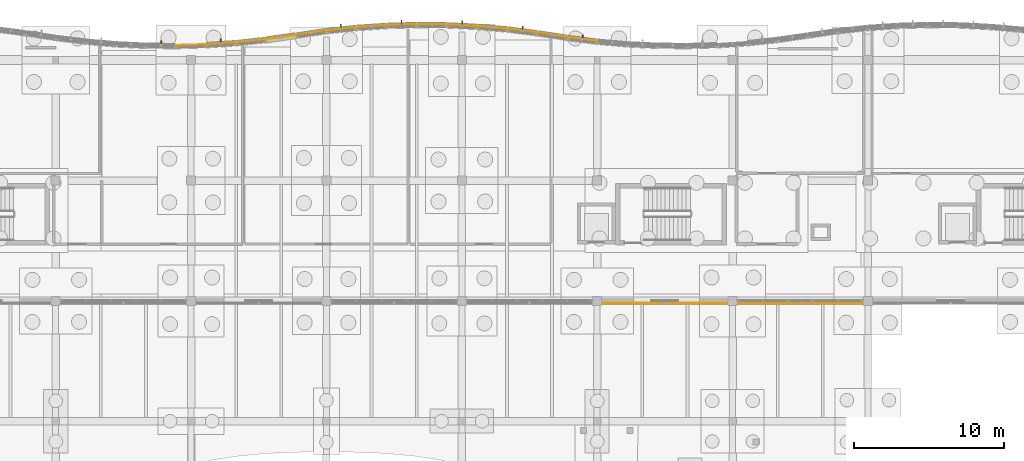
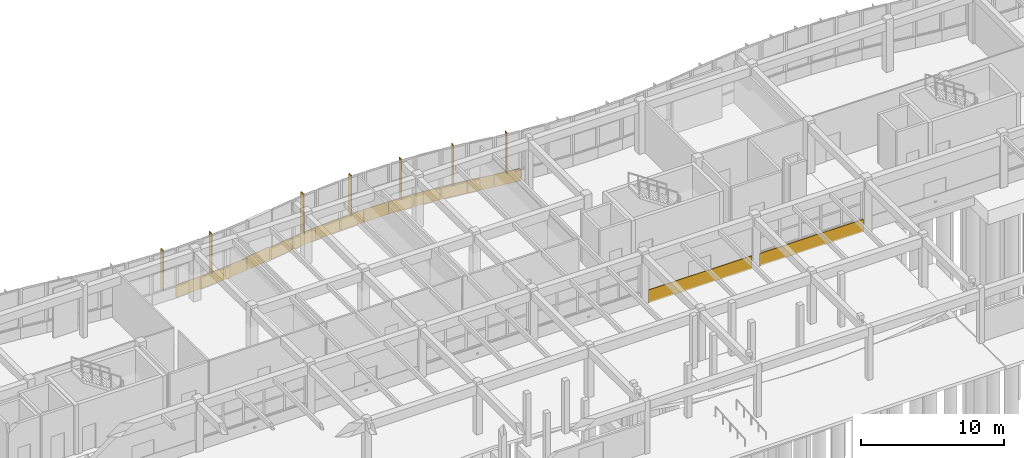
# One storey, part 92 of 99: 16 coverings, 7 shading devices.
"""IFC4 building model written with IfcOpenShell, lengths in metres."""

import ifcopenshell
import ifcopenshell.guid

model = None  # the IFC model being written
_history = None  # IfcOwnerHistory: only IFC2X3 demands one
_inside = {}  # id of a spatial element -> (the spatial element, [elements in it])
_under = {}  # id of a project, library or spatial element -> (it, [spatial elements below it])
_declared = {}  # id of a project -> (the project, [libraries it declares])
_typed = {}  # id of a type object -> (the type object, [elements of that type])
_made_of = {}  # id of a material, layer set ... -> (it, [elements and type objects made of it])


def new_model(schema):
    """Start an empty IFC model of exactly this schema.

    Asked for "IFC4X3", IfcOpenShell would pick the latest addendum, in which some entities
    have other attributes; the version numbers below select the first issue.
    IFC2X3 requires an IfcOwnerHistory on every rooted entity: one is made here for all.
    """
    global model, _history
    if schema == "IFC4X3":
        model = ifcopenshell.file(schema_version=(4, 3, 0, 0))
    else:
        model = ifcopenshell.file(schema=schema)
    _inside.clear()
    _under.clear()
    _declared.clear()
    _typed.clear()
    _made_of.clear()
    _history = None
    if model.schema == "IFC2X3":
        org = make("IfcOrganization", Name="unknown")
        user = make(
            "IfcPersonAndOrganization",
            ThePerson=make("IfcPerson", FamilyName="unknown"),
            TheOrganization=org,
        )
        app = make(
            "IfcApplication",
            ApplicationDeveloper=org,
            Version="unknown",
            ApplicationFullName="unknown",
            ApplicationIdentifier="unknown",
        )
        _history = make(
            "IfcOwnerHistory",
            OwningUser=user,
            OwningApplication=app,
            ChangeAction="ADDED",
            CreationDate=0,
        )
    return model


def make(cls, **values):
    """One entity of the class cls with the attributes given. An attribute that is None is left unset."""
    return model.create_entity(
        cls, **{name: value for name, value in values.items() if value is not None}
    )


def rooted(cls, **values):
    """An entity with a GlobalId (a new one), such as an element, a storey or a relation."""
    return make(cls, GlobalId=ifcopenshell.guid.new(), OwnerHistory=_history, **values)


def si_unit(unit_type, name, prefix=None):
    """IfcSIUnit, for example si_unit("LENGTHUNIT", "METRE", prefix="MILLI")."""
    return make("IfcSIUnit", UnitType=unit_type, Prefix=prefix, Name=name)


def assignment(units):
    """IfcUnitAssignment: the units of a project."""
    return None if units is None else make("IfcUnitAssignment", Units=units)


def point(xyz):
    """IfcCartesianPoint."""
    return None if xyz is None else make("IfcCartesianPoint", Coordinates=xyz)


def direction(xyz):
    """IfcDirection."""
    return None if xyz is None else make("IfcDirection", DirectionRatios=xyz)


def frame(location, z_axis=None, x_axis=None):
    """IfcAxis2Placement3D, a coordinate frame: its origin and axes. An axis left out is left unset."""
    return make(
        "IfcAxis2Placement3D",
        Location=point(location),
        Axis=direction(z_axis),
        RefDirection=direction(x_axis),
    )


def frame_2d(location, x_axis=None):
    """IfcAxis2Placement2D, a coordinate frame in the plane: its origin and x axis."""
    return make(
        "IfcAxis2Placement2D", Location=point(location), RefDirection=direction(x_axis)
    )


def origin():
    """The frame at (0, 0, 0) with its axes left unset."""
    return frame((0.0, 0.0, 0.0))


def origin_2d():
    """The frame at (0, 0) in the plane with its x axis left unset."""
    return frame_2d((0.0, 0.0))


def place(relative_to, where):
    """IfcLocalPlacement: puts the frame where relative to a parent placement (None: the world)."""
    return make(
        "IfcLocalPlacement", PlacementRelTo=relative_to, RelativePlacement=where
    )


def context(
    kind, dimensions, precision=None, world=None, true_north=None, identifier=None
):
    """IfcGeometricRepresentationContext, for example the 3D "Model" context."""
    return make(
        "IfcGeometricRepresentationContext",
        ContextIdentifier=identifier,
        ContextType=kind,
        CoordinateSpaceDimension=dimensions,
        Precision=precision,
        WorldCoordinateSystem=world,
        TrueNorth=true_north,
    )


def subcontext(parent, identifier, kind, view, scale=None):
    """IfcGeometricRepresentationSubContext, for example "Body" below "Model"."""
    return make(
        "IfcGeometricRepresentationSubContext",
        ContextIdentifier=identifier,
        ContextType=kind,
        ParentContext=parent,
        TargetScale=scale,
        TargetView=view,
    )


def project(units=None, contexts=None):
    """IfcProject with its units and contexts."""
    return rooted(
        "IfcProject",
        Name="project",
        RepresentationContexts=contexts,
        UnitsInContext=assignment(units),
    )


def spatial(cls, under=None, at=None, **own):
    """A site, building, storey or space (cls), placed at a placement, below another one or the project."""
    s = rooted(cls, ObjectPlacement=at, **own)
    if under is not None:
        _under.setdefault(under.id(), (under, []))[1].append(s)
    return s


def polyline(points):
    """IfcPolyline through the points."""
    return make("IfcPolyline", Points=[point(p) for p in points])


def profile(cls, at=None, kind="AREA", **sizes):
    """A parametric profile (cls). Its sizes go by their IFC names, for example OverallWidth=200.0."""
    return make(cls, ProfileType=kind, Position=at, **sizes)


def rectangle(**sizes):
    """IfcRectangleProfileDef."""
    return profile("IfcRectangleProfileDef", **sizes)


def outline(outer, holes=None, kind="AREA"):
    """IfcArbitraryClosedProfileDef: a profile drawn as a closed curve; with holes, ...WithVoids."""
    if holes is None:
        return make("IfcArbitraryClosedProfileDef", ProfileType=kind, OuterCurve=outer)
    return make(
        "IfcArbitraryProfileDefWithVoids",
        ProfileType=kind,
        OuterCurve=outer,
        InnerCurves=holes,
    )


def extrude(swept, where, along, depth):
    """IfcExtrudedAreaSolid: the profile swept, set in the frame where, extruded along a direction by depth."""
    return make(
        "IfcExtrudedAreaSolid",
        SweptArea=swept,
        Position=where,
        ExtrudedDirection=direction(along),
        Depth=depth,
    )


def shape(context_of_items, identifier, shape_type, items):
    """IfcShapeRepresentation: the items that make up one representation, for example the "Body"."""
    return make(
        "IfcShapeRepresentation",
        ContextOfItems=context_of_items,
        RepresentationIdentifier=identifier,
        RepresentationType=shape_type,
        Items=items,
    )


def material(Name=None, Category=None):
    """IfcMaterial."""
    return make("IfcMaterial", Name=Name, Category=Category)


def layer(
    of_material, thickness, ventilated=None, Name=None, Category=None, Priority=None
):
    """IfcMaterialLayer: one layer of a wall or slab, of a material (None: an air gap)."""
    return make(
        "IfcMaterialLayer",
        Material=of_material,
        LayerThickness=thickness,
        IsVentilated=ventilated,
        Name=Name,
        Category=Category,
        Priority=Priority,
    )


def layer_set(layers, Name=None):
    """IfcMaterialLayerSet."""
    return make("IfcMaterialLayerSet", MaterialLayers=layers, LayerSetName=Name)


def made_of(thing, what):
    """Note that an element or type object is made of a material, layer set ...; save() writes the relation."""
    if what is not None:
        _made_of.setdefault(what.id(), (what, []))[1].append(thing)
    return thing


def type_object(cls, material=None, **own):
    """A type object (cls), such as IfcWallType, which elements share."""
    return made_of(rooted(cls, **own), material)


def element(
    cls,
    number,
    at=None,
    inside=None,
    cuts=None,
    type_object=None,
    material=None,
    context=None,
    identifier="Body",
    shape_type=None,
    held_by="IfcProductDefinitionShape",
    body=None,
    shapes=None,
    **own,
):
    """One element of the class cls, such as IfcWall. Its Tag is "e" and its number.

    at: its placement. inside: the storey or other place that contains it. cuts: it is an
    opening in that element (IfcRelVoidsElement). A single representation is given by context,
    identifier, shape_type and body (its items); several are given by shapes. held_by: the class
    of the entity that holds the representations. save() writes the other relations.
    """
    e = rooted(cls, Tag="e%d" % number, ObjectPlacement=at, **own)
    if body is not None:
        shapes = [shape(context, identifier, shape_type, body)]
    if shapes is not None:
        e.Representation = make(held_by, Representations=shapes)
    if inside is not None:
        _inside.setdefault(inside.id(), (inside, []))[1].append(e)
    if cuts is not None:
        rooted(
            "IfcRelVoidsElement", RelatingBuildingElement=cuts, RelatedOpeningElement=e
        )
    if type_object is not None:
        _typed.setdefault(type_object.id(), (type_object, []))[1].append(e)
    return made_of(e, material)


def aggregate(whole, parts):
    """IfcRelAggregates: a whole, such as a stair, and the parts it consists of."""
    return rooted("IfcRelAggregates", RelatingObject=whole, RelatedObjects=parts)


def save(model, path):
    """Write the relations noted so far, then the file.

    IfcRelAggregates (storeys below a building ...), IfcRelContainedInSpatialStructure (elements
    in a storey), IfcRelDefinesByType, IfcRelAssociatesMaterial and IfcRelDeclares: one each for
    every whole, place, type object, material and project.
    """
    for whole, parts in _under.values():
        aggregate(whole, parts)
    for where, things in _inside.values():
        rooted(
            "IfcRelContainedInSpatialStructure",
            RelatedElements=things,
            RelatingStructure=where,
        )
    for kind, things in _typed.values():
        rooted("IfcRelDefinesByType", RelatedObjects=things, RelatingType=kind)
    for what, things in _made_of.values():
        rooted("IfcRelAssociatesMaterial", RelatedObjects=things, RelatingMaterial=what)
    for by, libraries in _declared.values():
        rooted("IfcRelDeclares", RelatingContext=by, RelatedDefinitions=libraries)
    model.write(path)


model = new_model("IFC4")

# Units and contexts
model_context = context("Model", 3, precision=1e-05, world=origin(), true_north=direction((0.0, 1.0)))
body_context = subcontext(model_context, "Body", "Model", "MODEL_VIEW")
ifc_project = project(units=[si_unit("LENGTHUNIT", "METRE"), si_unit("AREAUNIT", "SQUARE_METRE"), si_unit("VOLUMEUNIT", "CUBIC_METRE"), si_unit("PLANEANGLEUNIT", "RADIAN"), si_unit("MASSUNIT", "GRAM", prefix="KILO")], contexts=[model_context])

# Site, building, storey
site_placement = place(None, origin())
site = spatial("IfcSite", under=ifc_project, at=site_placement, CompositionType="ELEMENT")
building_placement = place(site_placement, origin())
building = spatial("IfcBuilding", under=site, at=building_placement, Name="Tonlespit Floodbar School", CompositionType="ELEMENT")
storey_placement = place(building_placement, origin())
storey = spatial("IfcBuildingStorey", under=building, at=storey_placement, Name="L00", CompositionType="ELEMENT", Elevation=0.0)

# Coverings
ifc_material_1 = material(Name="White Architectural Aluminium", Category="aluminium")
ifc_layer_1 = layer(ifc_material_1, 0.050048828125)
ifc_layer_set_1 = layer_set([ifc_layer_1], Name="White Architectural Aluminium")
covering_type = type_object("IfcCoveringType", Name="Cladding_WhiteBand_50", PredefinedType="CLADDING", material=ifc_layer_set_1)
covering_1_placement = place(storey_placement, frame((0.0, 0.0, -0.1201171875)))
element("IfcCovering", 1, at=covering_1_placement, inside=storey, type_object=covering_type, Name="L00 curved white spandrel cladding 0014", PredefinedType="CLADDING", context=body_context, shape_type="SweptSolid", body=[
    extrude(outline(polyline([(69.9970703125, 120.952880859375), (71.9970703125, 121.0107421875), (71.99560546875, 121.060791015625), (69.99560546875, 121.0029296875), (69.9970703125, 120.952880859375)])), origin(), (0.0, 0.0, 1.0), 1.070068359375),
])
covering_2_placement = place(storey_placement, frame((0.0, 0.0, -0.1201171875)))
element("IfcCovering", 2, at=covering_2_placement, inside=storey, type_object=covering_type, Name="L00 curved white spandrel cladding 0015", PredefinedType="CLADDING", context=body_context, shape_type="SweptSolid", body=[
    extrude(outline(polyline([(71.993408203125, 121.010498046875), (73.993408203125, 121.1455078125), (73.989990234375, 121.1953125), (71.989990234375, 121.060302734375), (71.993408203125, 121.010498046875)])), origin(), (0.0, 0.0, 1.0), 1.070068359375),
])
covering_3_placement = place(storey_placement, frame((0.0, 0.0, -0.1201171875)))
element("IfcCovering", 3, at=covering_3_placement, inside=storey, type_object=covering_type, Name="L00 curved white spandrel cladding 0016", PredefinedType="CLADDING", context=body_context, shape_type="SweptSolid", body=[
    extrude(outline(polyline([(73.989501953125, 121.14501953125), (75.989501953125, 121.35791015625), (75.984130859375, 121.407470703125), (73.984130859375, 121.19482421875), (73.989501953125, 121.14501953125)])), origin(), (0.0, 0.0, 1.0), 1.070068359375),
])
covering_4_placement = place(storey_placement, frame((0.0, 0.0, -0.1201171875)))
element("IfcCovering", 4, at=covering_4_placement, inside=storey, type_object=covering_type, Name="L00 curved white spandrel cladding 0017", PredefinedType="CLADDING", context=body_context, shape_type="SweptSolid", body=[
    extrude(outline(polyline([(75.982666015625, 121.377197265625), (77.982666015625, 121.668701171875), (77.9755859375, 121.71826171875), (75.9755859375, 121.426513671875), (75.982666015625, 121.377197265625)])), origin(), (0.0, 0.0, 1.0), 1.1201171875),
])
covering_5_placement = place(storey_placement, frame((0.0, 0.0, -0.1201171875)))
element("IfcCovering", 5, at=covering_5_placement, inside=storey, type_object=covering_type, Name="L00 curved white spandrel cladding 0018", PredefinedType="CLADDING", context=body_context, shape_type="SweptSolid", body=[
    extrude(outline(polyline([(77.985595703125, 121.64892578125), (79.985595703125, 121.940673828125), (79.978515625, 121.989990234375), (77.978515625, 121.698486328125), (77.985595703125, 121.64892578125)])), origin(), (0.0, 0.0, 1.0), 1.070068359375),
])
covering_6_placement = place(storey_placement, frame((0.0, 0.0, -0.1201171875)))
element("IfcCovering", 6, at=covering_6_placement, inside=storey, type_object=covering_type, Name="L00 curved white spandrel cladding 0019", PredefinedType="CLADDING", context=body_context, shape_type="SweptSolid", body=[
    extrude(outline(polyline([(79.989501953125, 121.94091796875), (81.989501953125, 122.15380859375), (81.984130859375, 122.203369140625), (79.984130859375, 121.99072265625), (79.989501953125, 121.94091796875)])), origin(), (0.0, 0.0, 1.0), 1.070068359375),
])
covering_7_placement = place(storey_placement, frame((0.0, 0.0, -0.1201171875)))
element("IfcCovering", 7, at=covering_7_placement, inside=storey, type_object=covering_type, Name="L00 curved white spandrel cladding 0020", PredefinedType="CLADDING", context=body_context, shape_type="SweptSolid", body=[
    extrude(outline(polyline([(81.993408203125, 122.154052734375), (83.993408203125, 122.2890625), (83.989990234375, 122.339111328125), (81.989990234375, 122.2041015625), (81.993408203125, 122.154052734375)])), origin(), (0.0, 0.0, 1.0), 1.070068359375),
])
covering_8_placement = place(storey_placement, frame((0.0, 0.0, -0.1201171875)))
element("IfcCovering", 8, at=covering_8_placement, inside=storey, type_object=covering_type, Name="L00 curved white spandrel cladding 0021", PredefinedType="CLADDING", context=body_context, shape_type="SweptSolid", body=[
    extrude(outline(polyline([(83.9970703125, 122.289306640625), (85.9970703125, 122.346923828125), (85.99560546875, 122.39697265625), (83.99560546875, 122.33935546875), (83.9970703125, 122.289306640625)])), origin(), (0.0, 0.0, 1.0), 1.070068359375),
])
covering_9_placement = place(storey_placement, frame((0.0, 0.0, -0.1201171875)))
element("IfcCovering", 9, at=covering_9_placement, inside=storey, type_object=covering_type, Name="L00 curved white spandrel cladding 0022", PredefinedType="CLADDING", context=body_context, shape_type="SweptSolid", body=[
    extrude(outline(polyline([(86.0009765625, 122.346923828125), (88.0009765625, 122.327880859375), (88.00146484375, 122.377685546875), (86.00146484375, 122.39697265625), (86.0009765625, 122.346923828125)])), origin(), (0.0, 0.0, 1.0), 1.070068359375),
])
covering_10_placement = place(storey_placement, frame((0.0, 0.0, -0.1201171875)))
element("IfcCovering", 10, at=covering_10_placement, inside=storey, type_object=covering_type, Name="L00 curved white spandrel cladding 0023", PredefinedType="CLADDING", context=body_context, shape_type="SweptSolid", body=[
    extrude(outline(polyline([(88.0048828125, 122.32763671875), (90.0048828125, 122.2314453125), (90.007080078125, 122.28125), (88.007080078125, 122.377685546875), (88.0048828125, 122.32763671875)])), origin(), (0.0, 0.0, 1.0), 1.070068359375),
])
covering_11_placement = place(storey_placement, frame((0.0, 0.0, -0.1201171875)))
element("IfcCovering", 11, at=covering_11_placement, inside=storey, type_object=covering_type, Name="L00 curved white spandrel cladding 0024", PredefinedType="CLADDING", context=body_context, shape_type="SweptSolid", body=[
    extrude(outline(polyline([(90.0087890625, 122.231201171875), (92.0087890625, 122.057373046875), (92.012939453125, 122.107177734375), (90.012939453125, 122.281005859375), (90.0087890625, 122.231201171875)])), origin(), (0.0, 0.0, 1.0), 1.070068359375),
])
covering_12_placement = place(storey_placement, frame((0.0, 0.0, -0.1201171875)))
element("IfcCovering", 12, at=covering_12_placement, inside=storey, type_object=covering_type, Name="L00 curved white spandrel cladding 0025", PredefinedType="CLADDING", context=body_context, shape_type="SweptSolid", body=[
    extrude(outline(polyline([(92.012451171875, 122.056884765625), (94.012451171875, 121.804931640625), (94.018798828125, 121.8544921875), (92.018798828125, 122.1064453125), (92.012451171875, 122.056884765625)])), origin(), (0.0, 0.0, 1.0), 1.070068359375),
])
covering_13_placement = place(storey_placement, frame((0.0, 0.0, -0.1201171875)))
element("IfcCovering", 13, at=covering_13_placement, inside=storey, type_object=covering_type, Name="L00 curved white spandrel cladding 0026", PredefinedType="CLADDING", context=body_context, shape_type="SweptSolid", body=[
    extrude(outline(polyline([(94.015380859375, 121.804443359375), (96.015380859375, 121.4931640625), (96.023193359375, 121.54248046875), (94.023193359375, 121.85400390625), (94.015380859375, 121.804443359375)])), origin(), (0.0, 0.0, 1.0), 1.070068359375),
])
covering_14_placement = place(storey_placement, frame((0.0, 0.0, -0.1201171875)))
element("IfcCovering", 14, at=covering_14_placement, inside=storey, type_object=covering_type, Name="L00 curved white spandrel cladding 0027", PredefinedType="CLADDING", context=body_context, shape_type="SweptSolid", body=[
    extrude(outline(polyline([(96.012451171875, 121.493408203125), (98.012451171875, 121.241455078125), (98.018798828125, 121.291015625), (96.018798828125, 121.543212890625), (96.012451171875, 121.493408203125)])), origin(), (0.0, 0.0, 1.0), 1.070068359375),
])
covering_15_placement = place(storey_placement, frame((0.0, 0.0, -0.1201171875)))
element("IfcCovering", 15, at=covering_15_placement, inside=storey, type_object=covering_type, Name="L00 curved white spandrel cladding 0037", PredefinedType="CLADDING", context=body_context, shape_type="SweptSolid", body=[
    extrude(outline(polyline([(115.699951171875, 103.89990234375), (107.300048828125, 103.89990234375), (107.300048828125, 103.85009765625), (115.699951171875, 103.85009765625), (115.699951171875, 103.89990234375)])), origin(), (0.0, 0.0, 1.0), 1.070068359375),
])
covering_16_placement = place(storey_placement, frame((0.0, 0.0, -0.1201171875)))
element("IfcCovering", 16, at=covering_16_placement, inside=storey, type_object=covering_type, Name="L00 curved white spandrel cladding 0038", PredefinedType="CLADDING", context=body_context, shape_type="SweptSolid", body=[
    extrude(outline(polyline([(106.699951171875, 103.8798828125), (98.300048828125, 103.8798828125), (98.300048828125, 103.830078125), (106.699951171875, 103.830078125), (106.699951171875, 103.8798828125)])), origin(), (0.0, 0.0, 1.0), 1.1201171875),
])

# Shading devices
ifc_material_2 = material(Name="Terracotta Anodised Aluminium", Category="masonry")
ifc_layer_2 = layer(ifc_material_2, 0.06005859375)
ifc_layer_set_2 = layer_set([ifc_layer_2], Name="Terracotta Anodised Aluminium")
shading_device_type = type_object("IfcShadingDeviceType", Name="Shading_SolarFin_350", PredefinedType="USERDEFINED", material=ifc_layer_set_2)
for number, where, z_axis, x_axis, name in (
    (17, (69.00244140625, 121.12255859375, 0.800048828125), (0.0, 0.0, 1.0), (0.999953926969, -0.009599163462, 0.0), "L00 vertical solar fin 007"),
    (18, (72.982421875, 121.237548828125, 0.800048828125), (0.0, 0.0, 1.0), (0.997729639049, 0.067346621018, 0.0), "L00 vertical solar fin 008"),
    (19, (80.972412109375, 122.20654296875, 0.800048828125), (0.0, 0.0, 1.0), (0.99439234017, 0.105753835922, 0.0), "L00 vertical solar fin 009"),
    (20, (84.992431640625, 122.47802734375, 0.800048828125), (0.0, 0.0, 1.0), (0.999584110869, 0.02883756748, 0.0), "L00 vertical solar fin 010"),
    (21, (89.012451171875, 122.439208984375, 0.800048828125), (0.0, 0.0, 1.0), (0.998842769234, -0.048094930587, 0.0), "L00 vertical solar fin 011"),
    (22, (93.032470703125, 122.089599609375, 0.800048828125), (0.0, 0.0, 1.0), (0.99215533612, -0.125011155539, 0.0), "L00 vertical solar fin 012"),
    (23, (97.032470703125, 121.5263671875, 0.800048828125), (0.0, 0.0, 1.0), (0.99215533612, -0.125011155539, 0.0), "L00 vertical solar fin 013"),
):
    element("IfcShadingDevice", number, at=place(storey_placement, frame(where, z_axis=z_axis, x_axis=x_axis)), inside=storey, type_object=shading_device_type, Name=name, ObjectType="SOLAR FIN", PredefinedType="USERDEFINED", context=body_context, shape_type="SweptSolid", body=[
        extrude(rectangle(XDim=0.06005859375, YDim=0.35009765625, at=origin_2d()), origin(), (0.0, 0.0, 1.0), 3.43994140625),
    ])

save(model, "model.ifc")
